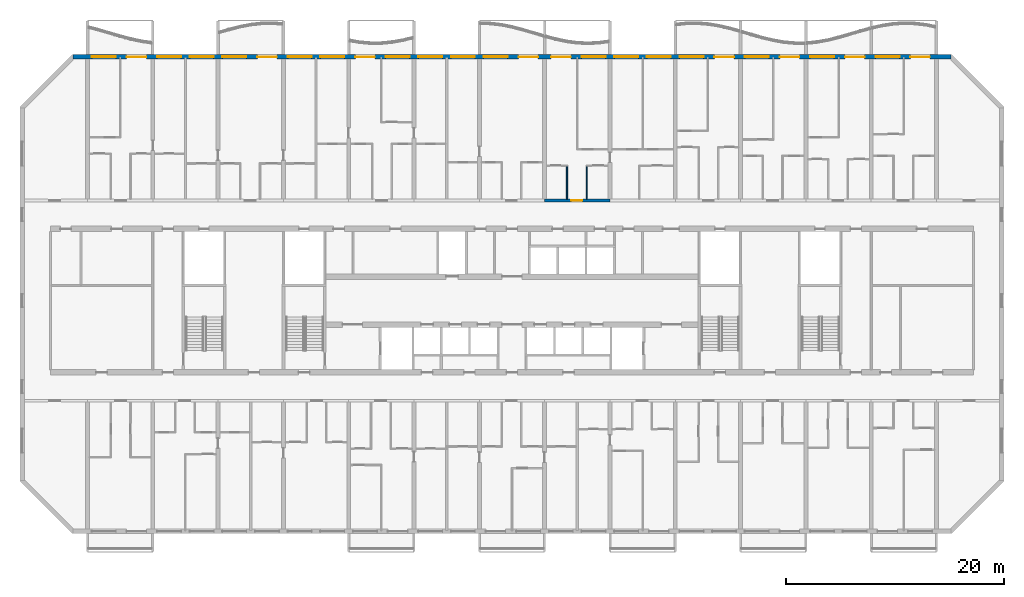
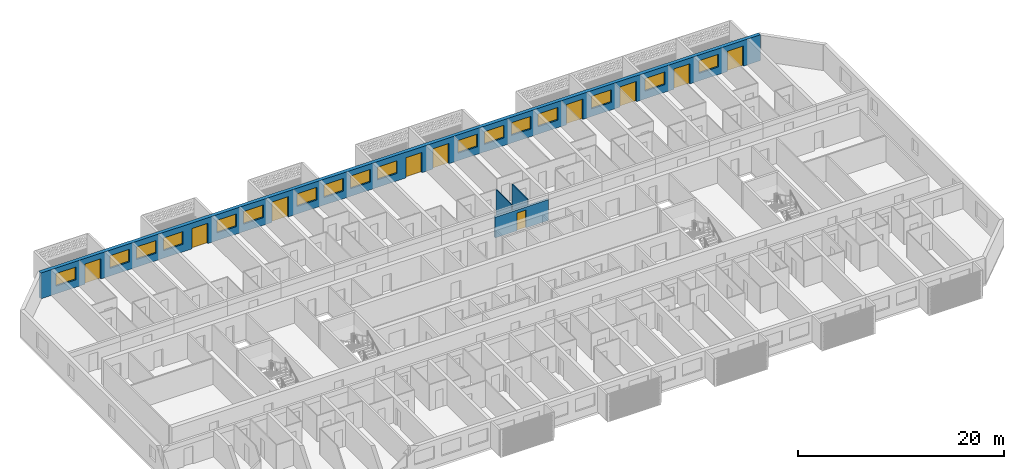
# One storey, part 12 of 30: 17 windows, 10 doors, 4 walls, 27 openings.
"""IFC4 building model written with IfcOpenShell, lengths in metres."""

from ifc_helpers import new_model, si_unit, direction, frame, frame_2d, origin, place, context, subcontext, project, spatial, rectangle, extrude, material, layer, layer_set, type_object, element, fill, save


model = new_model("IFC4")

# Units and contexts
model_context = context("Model", 3, precision=1e-05, world=origin(), true_north=direction((0.0, 1.0)))
body_context = subcontext(model_context, "Body", "Model", "MODEL_VIEW")
ifc_project = project(units=[si_unit("LENGTHUNIT", "METRE"), si_unit("AREAUNIT", "SQUARE_METRE"), si_unit("VOLUMEUNIT", "CUBIC_METRE"), si_unit("PLANEANGLEUNIT", "RADIAN"), si_unit("MASSUNIT", "GRAM", prefix="KILO")], contexts=[model_context])

# Site, building, storey
site_placement = place(None, origin())
site = spatial("IfcSite", under=ifc_project, at=site_placement, CompositionType="ELEMENT")
building_placement = place(site_placement, origin())
building = spatial("IfcBuilding", under=site, at=building_placement, Name="Poui Terraces", CompositionType="ELEMENT")
storey_placement = place(building_placement, frame((0.0, 0.0, 99.300048828125)))
storey = spatial("IfcBuildingStorey", under=building, at=storey_placement, Name="L27", CompositionType="ELEMENT", Elevation=99.300048828125)

# Wall, opening, door
ifc_material_1 = material(Name="Concrete 65 MPa", Category="concrete")
ifc_layer_1 = layer(ifc_material_1, 0.25)
ifc_layer_set_1 = layer_set([ifc_layer_1], Name="Concrete 65 MPa")
wall_type_1 = type_object("IfcWallType", Name="CORRIDOR WALL 250 65MPa", PredefinedType="SHEAR", material=ifc_layer_set_1)
wall_1_placement = place(storey_placement, frame((54.0, 30.39990234375, 0.0), z_axis=(0.0, 0.0, 1.0), x_axis=(1.0, 0.0, 0.0)))
wall_1 = element("IfcWall", 1, at=wall_1_placement, inside=storey, type_object=wall_type_1, Name="CORRIDOR WALL LINE E BAY 9", PredefinedType="SHEAR", context=body_context, shape_type="SweptSolid", body=[
    extrude(rectangle(XDim=6.0, YDim=0.25, at=frame_2d((3.0, 0.0))), origin(), (0.0, 0.0, 1.0), 2.4599609375),
])
opening_1_placement = place(wall_1_placement, frame((2.449951171875, 0.0, 0.0)))
opening_1 = element("IfcOpeningElement", 2, at=opening_1_placement, cuts=wall_1, Name="Opening FD30S", PredefinedType="OPENING", context=body_context, shape_type="SweptSolid", body=[
    extrude(rectangle(XDim=1.0, YDim=2.10009765625, at=frame_2d((0.5, 1.050048828125))), frame((0.0, 0.135009765625, 0.0), z_axis=(0.0, -1.0, 0.0), x_axis=(1.0, 0.0, 0.0)), (0.0, 0.0, 1.0), 0.27001953125),
])
ifc_material_2 = material(Name="Steel fire door", Category="steel")
door_type_1 = type_object("IfcDoorType", Name="FLAT ENTRANCE DOOR 1000 X 2100", OperationType="NOTDEFINED", PredefinedType="DOOR", material=ifc_material_2)
door_1_placement = place(opening_1_placement, origin())
door_1 = element("IfcDoor", 3, at=door_1_placement, inside=storey, type_object=door_type_1, Name="FLAT ENTRANCE DOOR 062", OperationType="SINGLE_SWING_LEFT", OverallHeight=2.10009765625, OverallWidth=1.0, PredefinedType="DOOR", context=body_context, shape_type="SweptSolid", body=[
    extrude(rectangle(XDim=1.0, YDim=2.10009765625, at=frame_2d((0.5, 1.050048828125))), frame((0.0, 0.02490234375, 0.0), z_axis=(0.0, -1.0, 0.0), x_axis=(1.0, 0.0, 0.0)), (0.0, 0.0, 1.0), 0.050048828125),
])
fill(opening_1, door_1)

# Wall, openings, doors, windows
ifc_material_3 = material(Name="Precast concrete 40 MPa", Category="concrete")
ifc_layer_2 = layer(ifc_material_3, 0.39990234375)
ifc_layer_set_2 = layer_set([ifc_layer_2], Name="Precast concrete 40 MPa")
wall_type_2 = type_object("IfcWallType", Name="EXTERNAL WALL 400", PredefinedType="STANDARD", material=ifc_layer_set_2)
wall_2_placement = place(storey_placement, frame((91.317138671875, 43.60009765625, 0.0), z_axis=(0.0, 0.0, 1.0), x_axis=(-1.0, 0.0, 0.0)))
wall_2 = element("IfcWall", 4, at=wall_2_placement, inside=storey, type_object=wall_type_2, Name="EXTERNAL WALL N", PredefinedType="STANDARD", context=body_context, shape_type="SweptSolid", body=[
    extrude(rectangle(XDim=80.63427734375, YDim=0.39990234375, at=frame_2d((40.317138671875, 0.0))), origin(), (0.0, 0.0, 1.0), 3.06005859375),
])
opening_2_placement = place(wall_2_placement, frame((76.71728515625, 0.0, 0.89990234375)))
opening_2 = element("IfcOpeningElement", 5, at=opening_2_placement, cuts=wall_2, Name="Opening W1", PredefinedType="OPENING", context=body_context, shape_type="SweptSolid", body=[
    extrude(rectangle(XDim=2.199951171875, YDim=1.5, at=frame_2d((1.10009765625, 0.75))), frame((0.0, 0.2099609375, 0.0), z_axis=(0.0, -1.0, 0.0), x_axis=(1.0, 0.0, 0.0)), (0.0, 0.0, 1.0), 0.419921875),
])
opening_3_placement = place(wall_2_placement, frame((73.917236328125, 0.0, 0.0)))
opening_3 = element("IfcOpeningElement", 6, at=opening_3_placement, cuts=wall_2, Name="Opening BD1", PredefinedType="OPENING", context=body_context, shape_type="SweptSolid", body=[
    extrude(rectangle(XDim=1.800048828125, YDim=2.39990234375, at=frame_2d((0.89990234375, 1.199951171875))), frame((0.0, 0.2099609375, 0.0), z_axis=(0.0, -1.0, 0.0), x_axis=(1.0, 0.0, 0.0)), (0.0, 0.0, 1.0), 0.419921875),
])
opening_4_placement = place(wall_2_placement, frame((70.71728515625, 0.0, 0.89990234375)))
opening_4 = element("IfcOpeningElement", 7, at=opening_4_placement, cuts=wall_2, Name="Opening W1", PredefinedType="OPENING", context=body_context, shape_type="SweptSolid", body=[
    extrude(rectangle(XDim=2.199951171875, YDim=1.5, at=frame_2d((1.10009765625, 0.75))), frame((0.0, 0.2099609375, 0.0), z_axis=(0.0, -1.0, 0.0), x_axis=(1.0, 0.0, 0.0)), (0.0, 0.0, 1.0), 0.419921875),
])
opening_5_placement = place(wall_2_placement, frame((67.71728515625, 0.0, 0.89990234375)))
opening_5 = element("IfcOpeningElement", 8, at=opening_5_placement, cuts=wall_2, Name="Opening W1", PredefinedType="OPENING", context=body_context, shape_type="SweptSolid", body=[
    extrude(rectangle(XDim=2.199951171875, YDim=1.5, at=frame_2d((1.10009765625, 0.75))), frame((0.0, 0.2099609375, 0.0), z_axis=(0.0, -1.0, 0.0), x_axis=(1.0, 0.0, 0.0)), (0.0, 0.0, 1.0), 0.419921875),
])
opening_6_placement = place(wall_2_placement, frame((64.71728515625, 0.0, 0.89990234375)))
opening_6 = element("IfcOpeningElement", 9, at=opening_6_placement, cuts=wall_2, Name="Opening W1", PredefinedType="OPENING", context=body_context, shape_type="SweptSolid", body=[
    extrude(rectangle(XDim=2.199951171875, YDim=1.5, at=frame_2d((1.10009765625, 0.75))), frame((0.0, 0.2099609375, 0.0), z_axis=(0.0, -1.0, 0.0), x_axis=(1.0, 0.0, 0.0)), (0.0, 0.0, 1.0), 0.419921875),
])
opening_7_placement = place(wall_2_placement, frame((61.917236328125, 0.0, 0.0)))
opening_7 = element("IfcOpeningElement", 10, at=opening_7_placement, cuts=wall_2, Name="Opening BD1", PredefinedType="OPENING", context=body_context, shape_type="SweptSolid", body=[
    extrude(rectangle(XDim=1.800048828125, YDim=2.39990234375, at=frame_2d((0.89990234375, 1.199951171875))), frame((0.0, 0.2099609375, 0.0), z_axis=(0.0, -1.0, 0.0), x_axis=(1.0, 0.0, 0.0)), (0.0, 0.0, 1.0), 0.419921875),
])
opening_8_placement = place(wall_2_placement, frame((58.71728515625, 0.0, 0.89990234375)))
opening_8 = element("IfcOpeningElement", 11, at=opening_8_placement, cuts=wall_2, Name="Opening W1", PredefinedType="OPENING", context=body_context, shape_type="SweptSolid", body=[
    extrude(rectangle(XDim=2.199951171875, YDim=1.5, at=frame_2d((1.10009765625, 0.75))), frame((0.0, 0.2099609375, 0.0), z_axis=(0.0, -1.0, 0.0), x_axis=(1.0, 0.0, 0.0)), (0.0, 0.0, 1.0), 0.419921875),
])
opening_9_placement = place(wall_2_placement, frame((55.71728515625, 0.0, 0.89990234375)))
opening_9 = element("IfcOpeningElement", 12, at=opening_9_placement, cuts=wall_2, Name="Opening W1", PredefinedType="OPENING", context=body_context, shape_type="SweptSolid", body=[
    extrude(rectangle(XDim=2.199951171875, YDim=1.5, at=frame_2d((1.10009765625, 0.75))), frame((0.0, 0.2099609375, 0.0), z_axis=(0.0, -1.0, 0.0), x_axis=(1.0, 0.0, 0.0)), (0.0, 0.0, 1.0), 0.419921875),
])
opening_10_placement = place(wall_2_placement, frame((52.917236328125, 0.0, 0.0)))
opening_10 = element("IfcOpeningElement", 13, at=opening_10_placement, cuts=wall_2, Name="Opening BD1", PredefinedType="OPENING", context=body_context, shape_type="SweptSolid", body=[
    extrude(rectangle(XDim=1.800048828125, YDim=2.39990234375, at=frame_2d((0.89990234375, 1.199951171875))), frame((0.0, 0.2099609375, 0.0), z_axis=(0.0, -1.0, 0.0), x_axis=(1.0, 0.0, 0.0)), (0.0, 0.0, 1.0), 0.419921875),
])
opening_11_placement = place(wall_2_placement, frame((49.71728515625, 0.0, 0.89990234375)))
opening_11 = element("IfcOpeningElement", 14, at=opening_11_placement, cuts=wall_2, Name="Opening W1", PredefinedType="OPENING", context=body_context, shape_type="SweptSolid", body=[
    extrude(rectangle(XDim=2.199951171875, YDim=1.5, at=frame_2d((1.10009765625, 0.75))), frame((0.0, 0.2099609375, 0.0), z_axis=(0.0, -1.0, 0.0), x_axis=(1.0, 0.0, 0.0)), (0.0, 0.0, 1.0), 0.419921875),
])
opening_12_placement = place(wall_2_placement, frame((46.71728515625, 0.0, 0.89990234375)))
opening_12 = element("IfcOpeningElement", 15, at=opening_12_placement, cuts=wall_2, Name="Opening W1", PredefinedType="OPENING", context=body_context, shape_type="SweptSolid", body=[
    extrude(rectangle(XDim=2.199951171875, YDim=1.5, at=frame_2d((1.10009765625, 0.75))), frame((0.0, 0.2099609375, 0.0), z_axis=(0.0, -1.0, 0.0), x_axis=(1.0, 0.0, 0.0)), (0.0, 0.0, 1.0), 0.419921875),
])
opening_13_placement = place(wall_2_placement, frame((43.71728515625, 0.0, 0.89990234375)))
opening_13 = element("IfcOpeningElement", 16, at=opening_13_placement, cuts=wall_2, Name="Opening W1", PredefinedType="OPENING", context=body_context, shape_type="SweptSolid", body=[
    extrude(rectangle(XDim=2.199951171875, YDim=1.5, at=frame_2d((1.10009765625, 0.75))), frame((0.0, 0.2099609375, 0.0), z_axis=(0.0, -1.0, 0.0), x_axis=(1.0, 0.0, 0.0)), (0.0, 0.0, 1.0), 0.419921875),
])
opening_14_placement = place(wall_2_placement, frame((40.71728515625, 0.0, 0.89990234375)))
opening_14 = element("IfcOpeningElement", 17, at=opening_14_placement, cuts=wall_2, Name="Opening W1", PredefinedType="OPENING", context=body_context, shape_type="SweptSolid", body=[
    extrude(rectangle(XDim=2.199951171875, YDim=1.5, at=frame_2d((1.10009765625, 0.75))), frame((0.0, 0.2099609375, 0.0), z_axis=(0.0, -1.0, 0.0), x_axis=(1.0, 0.0, 0.0)), (0.0, 0.0, 1.0), 0.419921875),
])
opening_15_placement = place(wall_2_placement, frame((37.917236328125, 0.0, 0.0)))
opening_15 = element("IfcOpeningElement", 18, at=opening_15_placement, cuts=wall_2, Name="Opening BD1", PredefinedType="OPENING", context=body_context, shape_type="SweptSolid", body=[
    extrude(rectangle(XDim=1.800048828125, YDim=2.39990234375, at=frame_2d((0.89990234375, 1.199951171875))), frame((0.0, 0.2099609375, 0.0), z_axis=(0.0, -1.0, 0.0), x_axis=(1.0, 0.0, 0.0)), (0.0, 0.0, 1.0), 0.419921875),
])
opening_16_placement = place(wall_2_placement, frame((34.917236328125, 0.0, 0.0)))
opening_16 = element("IfcOpeningElement", 19, at=opening_16_placement, cuts=wall_2, Name="Opening BD1", PredefinedType="OPENING", context=body_context, shape_type="SweptSolid", body=[
    extrude(rectangle(XDim=1.800048828125, YDim=2.39990234375, at=frame_2d((0.89990234375, 1.199951171875))), frame((0.0, 0.2099609375, 0.0), z_axis=(0.0, -1.0, 0.0), x_axis=(1.0, 0.0, 0.0)), (0.0, 0.0, 1.0), 0.419921875),
])
opening_17_placement = place(wall_2_placement, frame((31.71728515625, 0.0, 0.89990234375)))
opening_17 = element("IfcOpeningElement", 20, at=opening_17_placement, cuts=wall_2, Name="Opening W1", PredefinedType="OPENING", context=body_context, shape_type="SweptSolid", body=[
    extrude(rectangle(XDim=2.199951171875, YDim=1.5, at=frame_2d((1.10009765625, 0.75))), frame((0.0, 0.2099609375, 0.0), z_axis=(0.0, -1.0, 0.0), x_axis=(1.0, 0.0, 0.0)), (0.0, 0.0, 1.0), 0.419921875),
])
opening_18_placement = place(wall_2_placement, frame((28.71728515625, 0.0, 0.89990234375)))
opening_18 = element("IfcOpeningElement", 21, at=opening_18_placement, cuts=wall_2, Name="Opening W1", PredefinedType="OPENING", context=body_context, shape_type="SweptSolid", body=[
    extrude(rectangle(XDim=2.199951171875, YDim=1.5, at=frame_2d((1.10009765625, 0.75))), frame((0.0, 0.2099609375, 0.0), z_axis=(0.0, -1.0, 0.0), x_axis=(1.0, 0.0, 0.0)), (0.0, 0.0, 1.0), 0.419921875),
])
opening_19_placement = place(wall_2_placement, frame((25.71728515625, 0.0, 0.89990234375)))
opening_19 = element("IfcOpeningElement", 22, at=opening_19_placement, cuts=wall_2, Name="Opening W1", PredefinedType="OPENING", context=body_context, shape_type="SweptSolid", body=[
    extrude(rectangle(XDim=2.199951171875, YDim=1.5, at=frame_2d((1.10009765625, 0.75))), frame((0.0, 0.2099609375, 0.0), z_axis=(0.0, -1.0, 0.0), x_axis=(1.0, 0.0, 0.0)), (0.0, 0.0, 1.0), 0.419921875),
])
opening_20_placement = place(wall_2_placement, frame((22.71728515625, 0.0, 0.89990234375)))
opening_20 = element("IfcOpeningElement", 23, at=opening_20_placement, cuts=wall_2, Name="Opening W1", PredefinedType="OPENING", context=body_context, shape_type="SweptSolid", body=[
    extrude(rectangle(XDim=2.199951171875, YDim=1.5, at=frame_2d((1.10009765625, 0.75))), frame((0.0, 0.2099609375, 0.0), z_axis=(0.0, -1.0, 0.0), x_axis=(1.0, 0.0, 0.0)), (0.0, 0.0, 1.0), 0.419921875),
])
opening_21_placement = place(wall_2_placement, frame((19.917236328125, 0.0, 0.0)))
opening_21 = element("IfcOpeningElement", 24, at=opening_21_placement, cuts=wall_2, Name="Opening BD1", PredefinedType="OPENING", context=body_context, shape_type="SweptSolid", body=[
    extrude(rectangle(XDim=1.800048828125, YDim=2.39990234375, at=frame_2d((0.89990234375, 1.199951171875))), frame((0.0, 0.2099609375, 0.0), z_axis=(0.0, -1.0, 0.0), x_axis=(1.0, 0.0, 0.0)), (0.0, 0.0, 1.0), 0.419921875),
])
opening_22_placement = place(wall_2_placement, frame((16.71728515625, 0.0, 0.89990234375)))
opening_22 = element("IfcOpeningElement", 25, at=opening_22_placement, cuts=wall_2, Name="Opening W1", PredefinedType="OPENING", context=body_context, shape_type="SweptSolid", body=[
    extrude(rectangle(XDim=2.199951171875, YDim=1.5, at=frame_2d((1.10009765625, 0.75))), frame((0.0, 0.2099609375, 0.0), z_axis=(0.0, -1.0, 0.0), x_axis=(1.0, 0.0, 0.0)), (0.0, 0.0, 1.0), 0.419921875),
])
opening_23_placement = place(wall_2_placement, frame((13.917236328125, 0.0, 0.0)))
opening_23 = element("IfcOpeningElement", 26, at=opening_23_placement, cuts=wall_2, Name="Opening BD1", PredefinedType="OPENING", context=body_context, shape_type="SweptSolid", body=[
    extrude(rectangle(XDim=1.800048828125, YDim=2.39990234375, at=frame_2d((0.89990234375, 1.199951171875))), frame((0.0, 0.2099609375, 0.0), z_axis=(0.0, -1.0, 0.0), x_axis=(1.0, 0.0, 0.0)), (0.0, 0.0, 1.0), 0.419921875),
])
opening_24_placement = place(wall_2_placement, frame((10.71728515625, 0.0, 0.89990234375)))
opening_24 = element("IfcOpeningElement", 27, at=opening_24_placement, cuts=wall_2, Name="Opening W1", PredefinedType="OPENING", context=body_context, shape_type="SweptSolid", body=[
    extrude(rectangle(XDim=2.199951171875, YDim=1.5, at=frame_2d((1.10009765625, 0.75))), frame((0.0, 0.2099609375, 0.0), z_axis=(0.0, -1.0, 0.0), x_axis=(1.0, 0.0, 0.0)), (0.0, 0.0, 1.0), 0.419921875),
])
opening_25_placement = place(wall_2_placement, frame((7.917236328125, 0.0, 0.0)))
opening_25 = element("IfcOpeningElement", 28, at=opening_25_placement, cuts=wall_2, Name="Opening BD1", PredefinedType="OPENING", context=body_context, shape_type="SweptSolid", body=[
    extrude(rectangle(XDim=1.800048828125, YDim=2.39990234375, at=frame_2d((0.89990234375, 1.199951171875))), frame((0.0, 0.2099609375, 0.0), z_axis=(0.0, -1.0, 0.0), x_axis=(1.0, 0.0, 0.0)), (0.0, 0.0, 1.0), 0.419921875),
])
opening_26_placement = place(wall_2_placement, frame((4.71728515625, 0.0, 0.89990234375)))
opening_26 = element("IfcOpeningElement", 29, at=opening_26_placement, cuts=wall_2, Name="Opening W1", PredefinedType="OPENING", context=body_context, shape_type="SweptSolid", body=[
    extrude(rectangle(XDim=2.199951171875, YDim=1.5, at=frame_2d((1.10009765625, 0.75))), frame((0.0, 0.2099609375, 0.0), z_axis=(0.0, -1.0, 0.0), x_axis=(1.0, 0.0, 0.0)), (0.0, 0.0, 1.0), 0.419921875),
])
opening_27_placement = place(wall_2_placement, frame((1.917236328125, 0.0, 0.0)))
opening_27 = element("IfcOpeningElement", 30, at=opening_27_placement, cuts=wall_2, Name="Opening BD1", PredefinedType="OPENING", context=body_context, shape_type="SweptSolid", body=[
    extrude(rectangle(XDim=1.800048828125, YDim=2.39990234375, at=frame_2d((0.89990234375, 1.199951171875))), frame((0.0, 0.2099609375, 0.0), z_axis=(0.0, -1.0, 0.0), x_axis=(1.0, 0.0, 0.0)), (0.0, 0.0, 1.0), 0.419921875),
])
ifc_material_4 = material(Name="Clear glass in aluminium frame", Category="aluminium")
door_type_2 = type_object("IfcDoorType", Name="BALCONY DOOR 1800X2400", OperationType="DOUBLE_DOOR_SLIDING", PredefinedType="DOOR", material=ifc_material_4)
door_2_placement = place(opening_3_placement, origin())
door_2 = element("IfcDoor", 31, at=door_2_placement, inside=storey, type_object=door_type_2, Name="BD1 BALCONY DOOR", OperationType="DOUBLE_DOOR_SLIDING", OverallHeight=2.39990234375, OverallWidth=1.800048828125, PredefinedType="DOOR", context=body_context, shape_type="SweptSolid", body=[
    extrude(rectangle(XDim=1.800048828125, YDim=2.39990234375, at=frame_2d((0.89990234375, 1.199951171875))), frame((0.0, 0.02490234375, 0.0), z_axis=(0.0, -1.0, 0.0), x_axis=(1.0, 0.0, 0.0)), (0.0, 0.0, 1.0), 0.050048828125),
])
fill(opening_3, door_2)
door_3_placement = place(opening_7_placement, origin())
door_3 = element("IfcDoor", 32, at=door_3_placement, inside=storey, type_object=door_type_2, Name="BD1 BALCONY DOOR", OperationType="DOUBLE_DOOR_SLIDING", OverallHeight=2.39990234375, OverallWidth=1.800048828125, PredefinedType="DOOR", context=body_context, shape_type="SweptSolid", body=[
    extrude(rectangle(XDim=1.800048828125, YDim=2.39990234375, at=frame_2d((0.89990234375, 1.199951171875))), frame((0.0, 0.02490234375, 0.0), z_axis=(0.0, -1.0, 0.0), x_axis=(1.0, 0.0, 0.0)), (0.0, 0.0, 1.0), 0.050048828125),
])
fill(opening_7, door_3)
door_4_placement = place(opening_10_placement, origin())
door_4 = element("IfcDoor", 33, at=door_4_placement, inside=storey, type_object=door_type_2, Name="BD1 BALCONY DOOR", OperationType="DOUBLE_DOOR_SLIDING", OverallHeight=2.39990234375, OverallWidth=1.800048828125, PredefinedType="DOOR", context=body_context, shape_type="SweptSolid", body=[
    extrude(rectangle(XDim=1.800048828125, YDim=2.39990234375, at=frame_2d((0.89990234375, 1.199951171875))), frame((0.0, 0.02490234375, 0.0), z_axis=(0.0, -1.0, 0.0), x_axis=(1.0, 0.0, 0.0)), (0.0, 0.0, 1.0), 0.050048828125),
])
fill(opening_10, door_4)
door_5_placement = place(opening_15_placement, origin())
door_5 = element("IfcDoor", 34, at=door_5_placement, inside=storey, type_object=door_type_2, Name="BD1 BALCONY DOOR", OperationType="DOUBLE_DOOR_SLIDING", OverallHeight=2.39990234375, OverallWidth=1.800048828125, PredefinedType="DOOR", context=body_context, shape_type="SweptSolid", body=[
    extrude(rectangle(XDim=1.800048828125, YDim=2.39990234375, at=frame_2d((0.89990234375, 1.199951171875))), frame((0.0, 0.02490234375, 0.0), z_axis=(0.0, -1.0, 0.0), x_axis=(1.0, 0.0, 0.0)), (0.0, 0.0, 1.0), 0.050048828125),
])
fill(opening_15, door_5)
door_6_placement = place(opening_16_placement, origin())
door_6 = element("IfcDoor", 35, at=door_6_placement, inside=storey, type_object=door_type_2, Name="BD1 BALCONY DOOR", OperationType="DOUBLE_DOOR_SLIDING", OverallHeight=2.39990234375, OverallWidth=1.800048828125, PredefinedType="DOOR", context=body_context, shape_type="SweptSolid", body=[
    extrude(rectangle(XDim=1.800048828125, YDim=2.39990234375, at=frame_2d((0.89990234375, 1.199951171875))), frame((0.0, 0.02490234375, 0.0), z_axis=(0.0, -1.0, 0.0), x_axis=(1.0, 0.0, 0.0)), (0.0, 0.0, 1.0), 0.050048828125),
])
fill(opening_16, door_6)
door_7_placement = place(opening_21_placement, origin())
door_7 = element("IfcDoor", 36, at=door_7_placement, inside=storey, type_object=door_type_2, Name="BD1 BALCONY DOOR", OperationType="DOUBLE_DOOR_SLIDING", OverallHeight=2.39990234375, OverallWidth=1.800048828125, PredefinedType="DOOR", context=body_context, shape_type="SweptSolid", body=[
    extrude(rectangle(XDim=1.800048828125, YDim=2.39990234375, at=frame_2d((0.89990234375, 1.199951171875))), frame((0.0, 0.02490234375, 0.0), z_axis=(0.0, -1.0, 0.0), x_axis=(1.0, 0.0, 0.0)), (0.0, 0.0, 1.0), 0.050048828125),
])
fill(opening_21, door_7)
door_8_placement = place(opening_23_placement, origin())
door_8 = element("IfcDoor", 37, at=door_8_placement, inside=storey, type_object=door_type_2, Name="BD1 BALCONY DOOR", OperationType="DOUBLE_DOOR_SLIDING", OverallHeight=2.39990234375, OverallWidth=1.800048828125, PredefinedType="DOOR", context=body_context, shape_type="SweptSolid", body=[
    extrude(rectangle(XDim=1.800048828125, YDim=2.39990234375, at=frame_2d((0.89990234375, 1.199951171875))), frame((0.0, 0.02490234375, 0.0), z_axis=(0.0, -1.0, 0.0), x_axis=(1.0, 0.0, 0.0)), (0.0, 0.0, 1.0), 0.050048828125),
])
fill(opening_23, door_8)
door_9_placement = place(opening_25_placement, origin())
door_9 = element("IfcDoor", 38, at=door_9_placement, inside=storey, type_object=door_type_2, Name="BD1 BALCONY DOOR", OperationType="DOUBLE_DOOR_SLIDING", OverallHeight=2.39990234375, OverallWidth=1.800048828125, PredefinedType="DOOR", context=body_context, shape_type="SweptSolid", body=[
    extrude(rectangle(XDim=1.800048828125, YDim=2.39990234375, at=frame_2d((0.89990234375, 1.199951171875))), frame((0.0, 0.02490234375, 0.0), z_axis=(0.0, -1.0, 0.0), x_axis=(1.0, 0.0, 0.0)), (0.0, 0.0, 1.0), 0.050048828125),
])
fill(opening_25, door_9)
door_10_placement = place(opening_27_placement, origin())
door_10 = element("IfcDoor", 39, at=door_10_placement, inside=storey, type_object=door_type_2, Name="BD1 BALCONY DOOR", OperationType="DOUBLE_DOOR_SLIDING", OverallHeight=2.39990234375, OverallWidth=1.800048828125, PredefinedType="DOOR", context=body_context, shape_type="SweptSolid", body=[
    extrude(rectangle(XDim=1.800048828125, YDim=2.39990234375, at=frame_2d((0.89990234375, 1.199951171875))), frame((0.0, 0.02490234375, 0.0), z_axis=(0.0, -1.0, 0.0), x_axis=(1.0, 0.0, 0.0)), (0.0, 0.0, 1.0), 0.050048828125),
])
fill(opening_27, door_10)
window_type = type_object("IfcWindowType", Name="WINDOW 2200X1500", PartitioningType="DOUBLE_PANEL_HORIZONTAL", PredefinedType="WINDOW", material=ifc_material_4)
window_1_placement = place(opening_2_placement, origin())
window_1 = element("IfcWindow", 40, at=window_1_placement, inside=storey, type_object=window_type, Name="W1 WINDOW", OverallHeight=1.5, OverallWidth=2.199951171875, PartitioningType="DOUBLE_PANEL_HORIZONTAL", PredefinedType="WINDOW", context=body_context, shape_type="SweptSolid", body=[
    extrude(rectangle(XDim=2.199951171875, YDim=1.5, at=frame_2d((1.10009765625, 0.75))), frame((0.0, 0.030029296875, 0.0), z_axis=(0.0, -1.0, 0.0), x_axis=(1.0, 0.0, 0.0)), (0.0, 0.0, 1.0), 0.06005859375),
])
fill(opening_2, window_1)
window_2_placement = place(opening_4_placement, origin())
window_2 = element("IfcWindow", 41, at=window_2_placement, inside=storey, type_object=window_type, Name="W1 WINDOW", OverallHeight=1.5, OverallWidth=2.199951171875, PartitioningType="DOUBLE_PANEL_HORIZONTAL", PredefinedType="WINDOW", context=body_context, shape_type="SweptSolid", body=[
    extrude(rectangle(XDim=2.199951171875, YDim=1.5, at=frame_2d((1.10009765625, 0.75))), frame((0.0, 0.030029296875, 0.0), z_axis=(0.0, -1.0, 0.0), x_axis=(1.0, 0.0, 0.0)), (0.0, 0.0, 1.0), 0.06005859375),
])
fill(opening_4, window_2)
window_3_placement = place(opening_5_placement, origin())
window_3 = element("IfcWindow", 42, at=window_3_placement, inside=storey, type_object=window_type, Name="W1 WINDOW", OverallHeight=1.5, OverallWidth=2.199951171875, PartitioningType="DOUBLE_PANEL_HORIZONTAL", PredefinedType="WINDOW", context=body_context, shape_type="SweptSolid", body=[
    extrude(rectangle(XDim=2.199951171875, YDim=1.5, at=frame_2d((1.10009765625, 0.75))), frame((0.0, 0.030029296875, 0.0), z_axis=(0.0, -1.0, 0.0), x_axis=(1.0, 0.0, 0.0)), (0.0, 0.0, 1.0), 0.06005859375),
])
fill(opening_5, window_3)
window_4_placement = place(opening_6_placement, origin())
window_4 = element("IfcWindow", 43, at=window_4_placement, inside=storey, type_object=window_type, Name="W1 WINDOW", OverallHeight=1.5, OverallWidth=2.199951171875, PartitioningType="DOUBLE_PANEL_HORIZONTAL", PredefinedType="WINDOW", context=body_context, shape_type="SweptSolid", body=[
    extrude(rectangle(XDim=2.199951171875, YDim=1.5, at=frame_2d((1.10009765625, 0.75))), frame((0.0, 0.030029296875, 0.0), z_axis=(0.0, -1.0, 0.0), x_axis=(1.0, 0.0, 0.0)), (0.0, 0.0, 1.0), 0.06005859375),
])
fill(opening_6, window_4)
window_5_placement = place(opening_8_placement, origin())
window_5 = element("IfcWindow", 44, at=window_5_placement, inside=storey, type_object=window_type, Name="W1 WINDOW", OverallHeight=1.5, OverallWidth=2.199951171875, PartitioningType="DOUBLE_PANEL_HORIZONTAL", PredefinedType="WINDOW", context=body_context, shape_type="SweptSolid", body=[
    extrude(rectangle(XDim=2.199951171875, YDim=1.5, at=frame_2d((1.10009765625, 0.75))), frame((0.0, 0.030029296875, 0.0), z_axis=(0.0, -1.0, 0.0), x_axis=(1.0, 0.0, 0.0)), (0.0, 0.0, 1.0), 0.06005859375),
])
fill(opening_8, window_5)
window_6_placement = place(opening_9_placement, origin())
window_6 = element("IfcWindow", 45, at=window_6_placement, inside=storey, type_object=window_type, Name="W1 WINDOW", OverallHeight=1.5, OverallWidth=2.199951171875, PartitioningType="DOUBLE_PANEL_HORIZONTAL", PredefinedType="WINDOW", context=body_context, shape_type="SweptSolid", body=[
    extrude(rectangle(XDim=2.199951171875, YDim=1.5, at=frame_2d((1.10009765625, 0.75))), frame((0.0, 0.030029296875, 0.0), z_axis=(0.0, -1.0, 0.0), x_axis=(1.0, 0.0, 0.0)), (0.0, 0.0, 1.0), 0.06005859375),
])
fill(opening_9, window_6)
window_7_placement = place(opening_11_placement, origin())
window_7 = element("IfcWindow", 46, at=window_7_placement, inside=storey, type_object=window_type, Name="W1 WINDOW", OverallHeight=1.5, OverallWidth=2.199951171875, PartitioningType="DOUBLE_PANEL_HORIZONTAL", PredefinedType="WINDOW", context=body_context, shape_type="SweptSolid", body=[
    extrude(rectangle(XDim=2.199951171875, YDim=1.5, at=frame_2d((1.10009765625, 0.75))), frame((0.0, 0.030029296875, 0.0), z_axis=(0.0, -1.0, 0.0), x_axis=(1.0, 0.0, 0.0)), (0.0, 0.0, 1.0), 0.06005859375),
])
fill(opening_11, window_7)
window_8_placement = place(opening_12_placement, origin())
window_8 = element("IfcWindow", 47, at=window_8_placement, inside=storey, type_object=window_type, Name="W1 WINDOW", OverallHeight=1.5, OverallWidth=2.199951171875, PartitioningType="DOUBLE_PANEL_HORIZONTAL", PredefinedType="WINDOW", context=body_context, shape_type="SweptSolid", body=[
    extrude(rectangle(XDim=2.199951171875, YDim=1.5, at=frame_2d((1.10009765625, 0.75))), frame((0.0, 0.030029296875, 0.0), z_axis=(0.0, -1.0, 0.0), x_axis=(1.0, 0.0, 0.0)), (0.0, 0.0, 1.0), 0.06005859375),
])
fill(opening_12, window_8)
window_9_placement = place(opening_13_placement, origin())
window_9 = element("IfcWindow", 48, at=window_9_placement, inside=storey, type_object=window_type, Name="W1 WINDOW", OverallHeight=1.5, OverallWidth=2.199951171875, PartitioningType="DOUBLE_PANEL_HORIZONTAL", PredefinedType="WINDOW", context=body_context, shape_type="SweptSolid", body=[
    extrude(rectangle(XDim=2.199951171875, YDim=1.5, at=frame_2d((1.10009765625, 0.75))), frame((0.0, 0.030029296875, 0.0), z_axis=(0.0, -1.0, 0.0), x_axis=(1.0, 0.0, 0.0)), (0.0, 0.0, 1.0), 0.06005859375),
])
fill(opening_13, window_9)
window_10_placement = place(opening_14_placement, origin())
window_10 = element("IfcWindow", 49, at=window_10_placement, inside=storey, type_object=window_type, Name="W1 WINDOW", OverallHeight=1.5, OverallWidth=2.199951171875, PartitioningType="DOUBLE_PANEL_HORIZONTAL", PredefinedType="WINDOW", context=body_context, shape_type="SweptSolid", body=[
    extrude(rectangle(XDim=2.199951171875, YDim=1.5, at=frame_2d((1.10009765625, 0.75))), frame((0.0, 0.030029296875, 0.0), z_axis=(0.0, -1.0, 0.0), x_axis=(1.0, 0.0, 0.0)), (0.0, 0.0, 1.0), 0.06005859375),
])
fill(opening_14, window_10)
window_11_placement = place(opening_17_placement, origin())
window_11 = element("IfcWindow", 50, at=window_11_placement, inside=storey, type_object=window_type, Name="W1 WINDOW", OverallHeight=1.5, OverallWidth=2.199951171875, PartitioningType="DOUBLE_PANEL_HORIZONTAL", PredefinedType="WINDOW", context=body_context, shape_type="SweptSolid", body=[
    extrude(rectangle(XDim=2.199951171875, YDim=1.5, at=frame_2d((1.10009765625, 0.75))), frame((0.0, 0.030029296875, 0.0), z_axis=(0.0, -1.0, 0.0), x_axis=(1.0, 0.0, 0.0)), (0.0, 0.0, 1.0), 0.06005859375),
])
fill(opening_17, window_11)
window_12_placement = place(opening_18_placement, origin())
window_12 = element("IfcWindow", 51, at=window_12_placement, inside=storey, type_object=window_type, Name="W1 WINDOW", OverallHeight=1.5, OverallWidth=2.199951171875, PartitioningType="DOUBLE_PANEL_HORIZONTAL", PredefinedType="WINDOW", context=body_context, shape_type="SweptSolid", body=[
    extrude(rectangle(XDim=2.199951171875, YDim=1.5, at=frame_2d((1.10009765625, 0.75))), frame((0.0, 0.030029296875, 0.0), z_axis=(0.0, -1.0, 0.0), x_axis=(1.0, 0.0, 0.0)), (0.0, 0.0, 1.0), 0.06005859375),
])
fill(opening_18, window_12)
window_13_placement = place(opening_19_placement, origin())
window_13 = element("IfcWindow", 52, at=window_13_placement, inside=storey, type_object=window_type, Name="W1 WINDOW", OverallHeight=1.5, OverallWidth=2.199951171875, PartitioningType="DOUBLE_PANEL_HORIZONTAL", PredefinedType="WINDOW", context=body_context, shape_type="SweptSolid", body=[
    extrude(rectangle(XDim=2.199951171875, YDim=1.5, at=frame_2d((1.10009765625, 0.75))), frame((0.0, 0.030029296875, 0.0), z_axis=(0.0, -1.0, 0.0), x_axis=(1.0, 0.0, 0.0)), (0.0, 0.0, 1.0), 0.06005859375),
])
fill(opening_19, window_13)
window_14_placement = place(opening_20_placement, origin())
window_14 = element("IfcWindow", 53, at=window_14_placement, inside=storey, type_object=window_type, Name="W1 WINDOW", OverallHeight=1.5, OverallWidth=2.199951171875, PartitioningType="DOUBLE_PANEL_HORIZONTAL", PredefinedType="WINDOW", context=body_context, shape_type="SweptSolid", body=[
    extrude(rectangle(XDim=2.199951171875, YDim=1.5, at=frame_2d((1.10009765625, 0.75))), frame((0.0, 0.030029296875, 0.0), z_axis=(0.0, -1.0, 0.0), x_axis=(1.0, 0.0, 0.0)), (0.0, 0.0, 1.0), 0.06005859375),
])
fill(opening_20, window_14)
window_15_placement = place(opening_22_placement, origin())
window_15 = element("IfcWindow", 54, at=window_15_placement, inside=storey, type_object=window_type, Name="W1 WINDOW", OverallHeight=1.5, OverallWidth=2.199951171875, PartitioningType="DOUBLE_PANEL_HORIZONTAL", PredefinedType="WINDOW", context=body_context, shape_type="SweptSolid", body=[
    extrude(rectangle(XDim=2.199951171875, YDim=1.5, at=frame_2d((1.10009765625, 0.75))), frame((0.0, 0.030029296875, 0.0), z_axis=(0.0, -1.0, 0.0), x_axis=(1.0, 0.0, 0.0)), (0.0, 0.0, 1.0), 0.06005859375),
])
fill(opening_22, window_15)
window_16_placement = place(opening_24_placement, origin())
window_16 = element("IfcWindow", 55, at=window_16_placement, inside=storey, type_object=window_type, Name="W1 WINDOW", OverallHeight=1.5, OverallWidth=2.199951171875, PartitioningType="DOUBLE_PANEL_HORIZONTAL", PredefinedType="WINDOW", context=body_context, shape_type="SweptSolid", body=[
    extrude(rectangle(XDim=2.199951171875, YDim=1.5, at=frame_2d((1.10009765625, 0.75))), frame((0.0, 0.030029296875, 0.0), z_axis=(0.0, -1.0, 0.0), x_axis=(1.0, 0.0, 0.0)), (0.0, 0.0, 1.0), 0.06005859375),
])
fill(opening_24, window_16)
window_17_placement = place(opening_26_placement, origin())
window_17 = element("IfcWindow", 56, at=window_17_placement, inside=storey, type_object=window_type, Name="W1 WINDOW", OverallHeight=1.5, OverallWidth=2.199951171875, PartitioningType="DOUBLE_PANEL_HORIZONTAL", PredefinedType="WINDOW", context=body_context, shape_type="SweptSolid", body=[
    extrude(rectangle(XDim=2.199951171875, YDim=1.5, at=frame_2d((1.10009765625, 0.75))), frame((0.0, 0.030029296875, 0.0), z_axis=(0.0, -1.0, 0.0), x_axis=(1.0, 0.0, 0.0)), (0.0, 0.0, 1.0), 0.06005859375),
])
fill(opening_26, window_17)

# Walls
ifc_material_5 = material(Name="Plasterboard partition")
ifc_layer_3 = layer(ifc_material_5, 0.10009765625)
ifc_layer_set_3 = layer_set([ifc_layer_3], Name="Plasterboard partition")
wall_type_3 = type_object("IfcWallType", Name="FLAT PARTITION 100", PredefinedType="PARTITIONING", material=ifc_layer_set_3)
for number, where, z_axis, x_axis, name in (
    (57, (56.050048828125, 30.534912109375, 0.0), (0.0, 0.0, 1.0), (0.0, 1.0, 0.0), "FLAT PARTITION 100"),
    (58, (57.85009765625, 30.534912109375, 0.0), (0.0, 0.0, 1.0), (0.0, 1.0, 0.0), "FLAT PARTITION 100"),
):
    element("IfcWall", number, at=place(storey_placement, frame(where, z_axis=z_axis, x_axis=x_axis)), inside=storey, type_object=wall_type_3, Name=name, PredefinedType="PARTITIONING", context=body_context, shape_type="SweptSolid", body=[
        extrude(rectangle(XDim=3.01513671875, YDim=0.10009765625, at=frame_2d((1.507568359375, 0.0))), origin(), (0.0, 0.0, 1.0), 3.06005859375),
    ])

save(model, "model.ifc")
